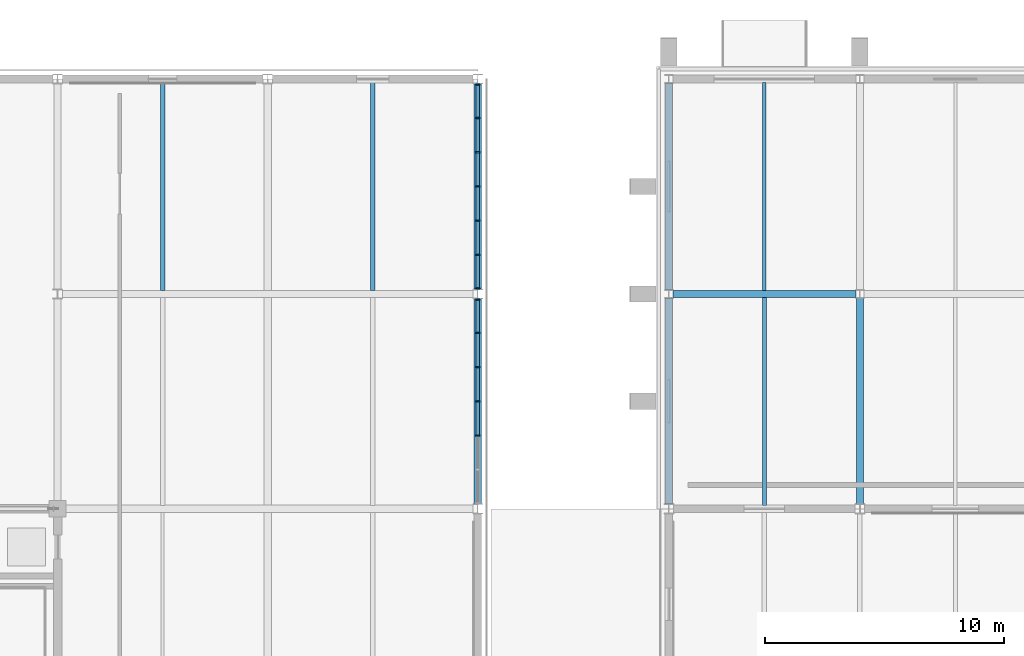
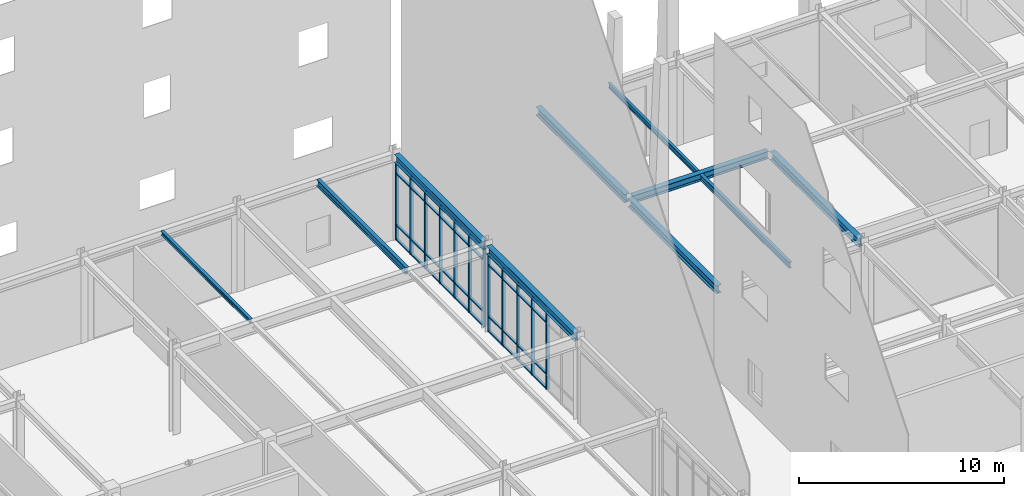
# One storey, part 46 of 119: 52 members, 10 beams, 2 elements without a shape of their own.
"""IFC4 building model written with IfcOpenShell, lengths in metres."""

from ifc_helpers import new_model, si_unit, direction, frame, origin, origin_2d, place, context, subcontext, project, spatial, rectangle, i_section, extrude, material, material_profile, profile_set, type_object, element, aggregate, save


model = new_model("IFC4")

# Units and contexts
model_context = context("Model", 3, precision=1e-05, world=origin(), true_north=direction((0.0, 1.0)))
body_context = subcontext(model_context, "Body", "Model", "MODEL_VIEW")
ifc_project = project(units=[si_unit("LENGTHUNIT", "METRE"), si_unit("AREAUNIT", "SQUARE_METRE"), si_unit("VOLUMEUNIT", "CUBIC_METRE"), si_unit("PLANEANGLEUNIT", "RADIAN"), si_unit("MASSUNIT", "GRAM", prefix="KILO")], contexts=[model_context])

# Site, building, storey
site_placement = place(None, origin())
site = spatial("IfcSite", under=ifc_project, at=site_placement, CompositionType="ELEMENT")
building_placement = place(site_placement, origin())
building = spatial("IfcBuilding", under=site, at=building_placement, Name="Zhaolan Boulevard Law Courts", CompositionType="ELEMENT")
storey_placement = place(building_placement, origin())
storey = spatial("IfcBuildingStorey", under=building, at=storey_placement, Name="L00", CompositionType="ELEMENT", Elevation=0.0)

# Curtain wall, members
ifc_material_1 = material(Name="Thermally broken aluminium and low-E glazing", Category="aluminium")
curtain_wall_type_1 = type_object("IfcCurtainWallType", Name="CURTAIN WALL M9", PredefinedType="USERDEFINED", material=ifc_material_1)
curtain_wall_1_placement = place(storey_placement, origin())
curtain_wall_1 = element("IfcCurtainWall", 1, at=curtain_wall_1_placement, inside=storey, type_object=curtain_wall_type_1, Name="Curtain Wall CW-L00-105", ObjectType="CURTAIN WALL", PredefinedType="USERDEFINED")
ifc_material_2 = material(Name="Fluorocarbon-coated aluminium 6063-T6", Category="aluminium")
ifc_material_profile_1 = material_profile(ifc_material_2, rectangle(XDim=0.179931640625, YDim=0.06494140625, at=origin_2d()), Name="AL65x180")
ifc_profile_set_1 = profile_set([ifc_material_profile_1], Name="Fluorocarbon-coated aluminium 6063-T6")
member_type_1 = type_object("IfcMemberType", Name="CWMULLION 65X180", PredefinedType="MULLION", material=ifc_profile_set_1)
member_1_placement = place(storey_placement, frame((44.0, 97.0673828125, 0.0), z_axis=(0.0, 0.0, 1.0), x_axis=(-1.0, 0.0, 0.0)))
member_1 = element("IfcMember", 2, at=member_1_placement, type_object=member_type_1, Name="CW-L00-105 mullion 3", PredefinedType="MULLION", context=body_context, shape_type="SweptSolid", body=[
    extrude(rectangle(XDim=0.179931640625, YDim=0.06494140625, at=origin_2d()), origin(), (0.0, 0.0, 1.0), 4.62109375),
])
member_2_placement = place(storey_placement, frame((44.0, 98.5, 0.0), z_axis=(0.0, 0.0, 1.0), x_axis=(-1.0, 0.0, 0.0)))
member_2 = element("IfcMember", 3, at=member_2_placement, type_object=member_type_1, Name="CW-L00-105 mullion 4", PredefinedType="MULLION", context=body_context, shape_type="SweptSolid", body=[
    extrude(rectangle(XDim=0.179931640625, YDim=0.06494140625, at=origin_2d()), origin(), (0.0, 0.0, 1.0), 4.62109375),
])
member_3_placement = place(storey_placement, frame((44.0, 99.9326171875, 0.0), z_axis=(0.0, 0.0, 1.0), x_axis=(-1.0, 0.0, 0.0)))
member_3 = element("IfcMember", 4, at=member_3_placement, type_object=member_type_1, Name="CW-L00-105 mullion 5", PredefinedType="MULLION", context=body_context, shape_type="SweptSolid", body=[
    extrude(rectangle(XDim=0.179931640625, YDim=0.06494140625, at=origin_2d()), origin(), (0.0, 0.0, 1.0), 4.62109375),
])
member_4_placement = place(storey_placement, frame((44.0, 101.365234375, 0.0), z_axis=(0.0, 0.0, 1.0), x_axis=(-1.0, 0.0, 0.0)))
member_4 = element("IfcMember", 5, at=member_4_placement, type_object=member_type_1, Name="CW-L00-105 mullion 6", PredefinedType="MULLION", context=body_context, shape_type="SweptSolid", body=[
    extrude(rectangle(XDim=0.179931640625, YDim=0.06494140625, at=origin_2d()), origin(), (0.0, 0.0, 1.0), 4.62109375),
])
member_5_placement = place(storey_placement, frame((44.0, 102.765380859375, 0.0), z_axis=(0.0, 0.0, 1.0), x_axis=(-1.0, 0.0, 0.0)))
member_5 = element("IfcMember", 6, at=member_5_placement, type_object=member_type_1, Name="CW-L00-105 mullion 7", PredefinedType="MULLION", context=body_context, shape_type="SweptSolid", body=[
    extrude(rectangle(XDim=0.179931640625, YDim=0.06494140625, at=origin_2d()), origin(), (0.0, 0.0, 1.0), 4.62109375),
])

ifc_material_3 = material(Name="Thermally broken aluminium and low-E glazing", Category="aluminium")
curtain_wall_type_2 = type_object("IfcCurtainWallType", Name="CURTAIN WALL M10", PredefinedType="USERDEFINED", material=ifc_material_3)
curtain_wall_2_placement = place(storey_placement, origin())
curtain_wall_2 = element("IfcCurtainWall", 7, at=curtain_wall_2_placement, inside=storey, type_object=curtain_wall_type_2, Name="Curtain Wall CW-L00-106", ObjectType="CURTAIN WALL", PredefinedType="USERDEFINED")
member_6_placement = place(storey_placement, frame((44.0, 103.234619140625, 0.0), z_axis=(0.0, 0.0, 1.0), x_axis=(-1.0, 0.0, 0.0)))
member_6 = element("IfcMember", 8, at=member_6_placement, type_object=member_type_1, Name="CW-L00-106 mullion 1", PredefinedType="MULLION", context=body_context, shape_type="SweptSolid", body=[
    extrude(rectangle(XDim=0.179931640625, YDim=0.06494140625, at=origin_2d()), origin(), (0.0, 0.0, 1.0), 4.62109375),
])
member_7_placement = place(storey_placement, frame((44.0, 104.634765625, 0.0), z_axis=(0.0, 0.0, 1.0), x_axis=(-1.0, 0.0, 0.0)))
member_7 = element("IfcMember", 9, at=member_7_placement, type_object=member_type_1, Name="CW-L00-106 mullion 2", PredefinedType="MULLION", context=body_context, shape_type="SweptSolid", body=[
    extrude(rectangle(XDim=0.179931640625, YDim=0.06494140625, at=origin_2d()), origin(), (0.0, 0.0, 1.0), 4.62109375),
])
member_8_placement = place(storey_placement, frame((44.0, 106.0673828125, 0.0), z_axis=(0.0, 0.0, 1.0), x_axis=(-1.0, 0.0, 0.0)))
member_8 = element("IfcMember", 10, at=member_8_placement, type_object=member_type_1, Name="CW-L00-106 mullion 3", PredefinedType="MULLION", context=body_context, shape_type="SweptSolid", body=[
    extrude(rectangle(XDim=0.179931640625, YDim=0.06494140625, at=origin_2d()), origin(), (0.0, 0.0, 1.0), 4.62109375),
])
member_9_placement = place(storey_placement, frame((44.0, 107.5, 0.0), z_axis=(0.0, 0.0, 1.0), x_axis=(-1.0, 0.0, 0.0)))
member_9 = element("IfcMember", 11, at=member_9_placement, type_object=member_type_1, Name="CW-L00-106 mullion 4", PredefinedType="MULLION", context=body_context, shape_type="SweptSolid", body=[
    extrude(rectangle(XDim=0.179931640625, YDim=0.06494140625, at=origin_2d()), origin(), (0.0, 0.0, 1.0), 4.62109375),
])
member_10_placement = place(storey_placement, frame((44.0, 108.9326171875, 0.0), z_axis=(0.0, 0.0, 1.0), x_axis=(-1.0, 0.0, 0.0)))
member_10 = element("IfcMember", 12, at=member_10_placement, type_object=member_type_1, Name="CW-L00-106 mullion 5", PredefinedType="MULLION", context=body_context, shape_type="SweptSolid", body=[
    extrude(rectangle(XDim=0.179931640625, YDim=0.06494140625, at=origin_2d()), origin(), (0.0, 0.0, 1.0), 4.62109375),
])
member_11_placement = place(storey_placement, frame((44.0, 110.365234375, 0.0), z_axis=(0.0, 0.0, 1.0), x_axis=(-1.0, 0.0, 0.0)))
member_11 = element("IfcMember", 13, at=member_11_placement, type_object=member_type_1, Name="CW-L00-106 mullion 6", PredefinedType="MULLION", context=body_context, shape_type="SweptSolid", body=[
    extrude(rectangle(XDim=0.179931640625, YDim=0.06494140625, at=origin_2d()), origin(), (0.0, 0.0, 1.0), 4.62109375),
])
member_12_placement = place(storey_placement, frame((44.0, 111.765380859375, 0.0), z_axis=(0.0, 0.0, 1.0), x_axis=(-1.0, 0.0, 0.0)))
member_12 = element("IfcMember", 14, at=member_12_placement, type_object=member_type_1, Name="CW-L00-106 mullion 7", PredefinedType="MULLION", context=body_context, shape_type="SweptSolid", body=[
    extrude(rectangle(XDim=0.179931640625, YDim=0.06494140625, at=origin_2d()), origin(), (0.0, 0.0, 1.0), 4.62109375),
])

# Member
ifc_material_4 = material(Name="Fluorocarbon-coated aluminium 6063-T6", Category="aluminium")
ifc_material_profile_2 = material_profile(ifc_material_4, rectangle(XDim=0.139892578125, YDim=0.06494140625, at=origin_2d()), Name="AL65x140")
ifc_profile_set_2 = profile_set([ifc_material_profile_2], Name="Fluorocarbon-coated aluminium 6063-T6")
member_type_2 = type_object("IfcMemberType", Name="CWTRANSOM 65X140", PredefinedType="USERDEFINED", material=ifc_profile_set_2)
member_13_placement = place(storey_placement, frame((44.0, 97.099853515625, 0.032470703125), z_axis=(0.0, 1.0, 0.0), x_axis=(-1.0, 0.0, 0.0)))
member_13 = element("IfcMember", 15, at=member_13_placement, type_object=member_type_2, Name="CW-L00-105 transom 3.1", ObjectType="TRANSOM", PredefinedType="USERDEFINED", context=body_context, shape_type="SweptSolid", body=[
    extrude(rectangle(XDim=0.139892578125, YDim=0.06494140625, at=origin_2d()), origin(), (0.0, 0.0, 1.0), 1.36767578125),
])

member_14_placement = place(storey_placement, frame((44.0, 97.099853515625, 0.89990234375), z_axis=(0.0, 1.0, 0.0), x_axis=(-1.0, 0.0, 0.0)))
member_14 = element("IfcMember", 16, at=member_14_placement, type_object=member_type_2, Name="CW-L00-105 transom 3.2", ObjectType="TRANSOM", PredefinedType="USERDEFINED", context=body_context, shape_type="SweptSolid", body=[
    extrude(rectangle(XDim=0.139892578125, YDim=0.06494140625, at=origin_2d()), origin(), (0.0, 0.0, 1.0), 1.36767578125),
])

member_15_placement = place(storey_placement, frame((44.0, 97.099853515625, 3.970947265625), z_axis=(0.0, 1.0, 0.0), x_axis=(-1.0, 0.0, 0.0)))
member_15 = element("IfcMember", 17, at=member_15_placement, type_object=member_type_2, Name="CW-L00-105 transom 3.3", ObjectType="TRANSOM", PredefinedType="USERDEFINED", context=body_context, shape_type="SweptSolid", body=[
    extrude(rectangle(XDim=0.139892578125, YDim=0.06494140625, at=origin_2d()), origin(), (0.0, 0.0, 1.0), 1.36767578125),
])

member_16_placement = place(storey_placement, frame((44.0, 97.099853515625, 4.58837890625), z_axis=(0.0, 1.0, 0.0), x_axis=(-1.0, 0.0, 0.0)))
member_16 = element("IfcMember", 18, at=member_16_placement, type_object=member_type_2, Name="CW-L00-105 transom 3.4", ObjectType="TRANSOM", PredefinedType="USERDEFINED", context=body_context, shape_type="SweptSolid", body=[
    extrude(rectangle(XDim=0.139892578125, YDim=0.06494140625, at=origin_2d()), origin(), (0.0, 0.0, 1.0), 1.36767578125),
])

member_17_placement = place(storey_placement, frame((44.0, 98.532470703125, 0.032470703125), z_axis=(0.0, 1.0, 0.0), x_axis=(-1.0, 0.0, 0.0)))
member_17 = element("IfcMember", 19, at=member_17_placement, type_object=member_type_2, Name="CW-L00-105 transom 4.1", ObjectType="TRANSOM", PredefinedType="USERDEFINED", context=body_context, shape_type="SweptSolid", body=[
    extrude(rectangle(XDim=0.139892578125, YDim=0.06494140625, at=origin_2d()), origin(), (0.0, 0.0, 1.0), 1.36767578125),
])

member_18_placement = place(storey_placement, frame((44.0, 98.532470703125, 0.89990234375), z_axis=(0.0, 1.0, 0.0), x_axis=(-1.0, 0.0, 0.0)))
member_18 = element("IfcMember", 20, at=member_18_placement, type_object=member_type_2, Name="CW-L00-105 transom 4.2", ObjectType="TRANSOM", PredefinedType="USERDEFINED", context=body_context, shape_type="SweptSolid", body=[
    extrude(rectangle(XDim=0.139892578125, YDim=0.06494140625, at=origin_2d()), origin(), (0.0, 0.0, 1.0), 1.36767578125),
])

member_19_placement = place(storey_placement, frame((44.0, 98.532470703125, 3.970947265625), z_axis=(0.0, 1.0, 0.0), x_axis=(-1.0, 0.0, 0.0)))
member_19 = element("IfcMember", 21, at=member_19_placement, type_object=member_type_2, Name="CW-L00-105 transom 4.3", ObjectType="TRANSOM", PredefinedType="USERDEFINED", context=body_context, shape_type="SweptSolid", body=[
    extrude(rectangle(XDim=0.139892578125, YDim=0.06494140625, at=origin_2d()), origin(), (0.0, 0.0, 1.0), 1.36767578125),
])

member_20_placement = place(storey_placement, frame((44.0, 98.532470703125, 4.58837890625), z_axis=(0.0, 1.0, 0.0), x_axis=(-1.0, 0.0, 0.0)))
member_20 = element("IfcMember", 22, at=member_20_placement, type_object=member_type_2, Name="CW-L00-105 transom 4.4", ObjectType="TRANSOM", PredefinedType="USERDEFINED", context=body_context, shape_type="SweptSolid", body=[
    extrude(rectangle(XDim=0.139892578125, YDim=0.06494140625, at=origin_2d()), origin(), (0.0, 0.0, 1.0), 1.36767578125),
])

member_21_placement = place(storey_placement, frame((44.0, 99.965087890625, 0.032470703125), z_axis=(0.0, 1.0, 0.0), x_axis=(-1.0, 0.0, 0.0)))
member_21 = element("IfcMember", 23, at=member_21_placement, type_object=member_type_2, Name="CW-L00-105 transom 5.1", ObjectType="TRANSOM", PredefinedType="USERDEFINED", context=body_context, shape_type="SweptSolid", body=[
    extrude(rectangle(XDim=0.139892578125, YDim=0.06494140625, at=origin_2d()), origin(), (0.0, 0.0, 1.0), 1.36767578125),
])

member_22_placement = place(storey_placement, frame((44.0, 99.965087890625, 0.89990234375), z_axis=(0.0, 1.0, 0.0), x_axis=(-1.0, 0.0, 0.0)))
member_22 = element("IfcMember", 24, at=member_22_placement, type_object=member_type_2, Name="CW-L00-105 transom 5.2", ObjectType="TRANSOM", PredefinedType="USERDEFINED", context=body_context, shape_type="SweptSolid", body=[
    extrude(rectangle(XDim=0.139892578125, YDim=0.06494140625, at=origin_2d()), origin(), (0.0, 0.0, 1.0), 1.36767578125),
])

member_23_placement = place(storey_placement, frame((44.0, 99.965087890625, 3.970947265625), z_axis=(0.0, 1.0, 0.0), x_axis=(-1.0, 0.0, 0.0)))
member_23 = element("IfcMember", 25, at=member_23_placement, type_object=member_type_2, Name="CW-L00-105 transom 5.3", ObjectType="TRANSOM", PredefinedType="USERDEFINED", context=body_context, shape_type="SweptSolid", body=[
    extrude(rectangle(XDim=0.139892578125, YDim=0.06494140625, at=origin_2d()), origin(), (0.0, 0.0, 1.0), 1.36767578125),
])

member_24_placement = place(storey_placement, frame((44.0, 99.965087890625, 4.58837890625), z_axis=(0.0, 1.0, 0.0), x_axis=(-1.0, 0.0, 0.0)))
member_24 = element("IfcMember", 26, at=member_24_placement, type_object=member_type_2, Name="CW-L00-105 transom 5.4", ObjectType="TRANSOM", PredefinedType="USERDEFINED", context=body_context, shape_type="SweptSolid", body=[
    extrude(rectangle(XDim=0.139892578125, YDim=0.06494140625, at=origin_2d()), origin(), (0.0, 0.0, 1.0), 1.36767578125),
])

member_25_placement = place(storey_placement, frame((44.0, 101.39794921875, 0.032470703125), z_axis=(0.0, 1.0, 0.0), x_axis=(-1.0, 0.0, 0.0)))
member_25 = element("IfcMember", 27, at=member_25_placement, type_object=member_type_2, Name="CW-L00-105 transom 6.1", ObjectType="TRANSOM", PredefinedType="USERDEFINED", context=body_context, shape_type="SweptSolid", body=[
    extrude(rectangle(XDim=0.139892578125, YDim=0.06494140625, at=origin_2d()), origin(), (0.0, 0.0, 1.0), 1.3349609375),
])

member_26_placement = place(storey_placement, frame((44.0, 101.39794921875, 0.89990234375), z_axis=(0.0, 1.0, 0.0), x_axis=(-1.0, 0.0, 0.0)))
member_26 = element("IfcMember", 28, at=member_26_placement, type_object=member_type_2, Name="CW-L00-105 transom 6.2", ObjectType="TRANSOM", PredefinedType="USERDEFINED", context=body_context, shape_type="SweptSolid", body=[
    extrude(rectangle(XDim=0.139892578125, YDim=0.06494140625, at=origin_2d()), origin(), (0.0, 0.0, 1.0), 1.3349609375),
])

member_27_placement = place(storey_placement, frame((44.0, 101.39794921875, 3.970947265625), z_axis=(0.0, 1.0, 0.0), x_axis=(-1.0, 0.0, 0.0)))
member_27 = element("IfcMember", 29, at=member_27_placement, type_object=member_type_2, Name="CW-L00-105 transom 6.3", ObjectType="TRANSOM", PredefinedType="USERDEFINED", context=body_context, shape_type="SweptSolid", body=[
    extrude(rectangle(XDim=0.139892578125, YDim=0.06494140625, at=origin_2d()), origin(), (0.0, 0.0, 1.0), 1.3349609375),
])

member_28_placement = place(storey_placement, frame((44.0, 101.39794921875, 4.58837890625), z_axis=(0.0, 1.0, 0.0), x_axis=(-1.0, 0.0, 0.0)))
member_28 = element("IfcMember", 30, at=member_28_placement, type_object=member_type_2, Name="CW-L00-105 transom 6.4", ObjectType="TRANSOM", PredefinedType="USERDEFINED", context=body_context, shape_type="SweptSolid", body=[
    extrude(rectangle(XDim=0.139892578125, YDim=0.06494140625, at=origin_2d()), origin(), (0.0, 0.0, 1.0), 1.3349609375),
])

aggregate(curtain_wall_1, [member_1, member_2, member_3, member_4, member_5, member_13, member_14, member_15, member_16, member_17, member_18, member_19, member_20, member_21, member_22, member_23, member_24, member_25, member_26, member_27, member_28])

member_29_placement = place(storey_placement, frame((44.0, 103.26708984375, 0.032470703125), z_axis=(0.0, 1.0, 0.0), x_axis=(-1.0, 0.0, 0.0)))
member_29 = element("IfcMember", 31, at=member_29_placement, type_object=member_type_2, Name="CW-L00-106 transom 1.1", ObjectType="TRANSOM", PredefinedType="USERDEFINED", context=body_context, shape_type="SweptSolid", body=[
    extrude(rectangle(XDim=0.139892578125, YDim=0.06494140625, at=origin_2d()), origin(), (0.0, 0.0, 1.0), 1.3349609375),
])

member_30_placement = place(storey_placement, frame((44.0, 103.26708984375, 0.89990234375), z_axis=(0.0, 1.0, 0.0), x_axis=(-1.0, 0.0, 0.0)))
member_30 = element("IfcMember", 32, at=member_30_placement, type_object=member_type_2, Name="CW-L00-106 transom 1.2", ObjectType="TRANSOM", PredefinedType="USERDEFINED", context=body_context, shape_type="SweptSolid", body=[
    extrude(rectangle(XDim=0.139892578125, YDim=0.06494140625, at=origin_2d()), origin(), (0.0, 0.0, 1.0), 1.3349609375),
])

member_31_placement = place(storey_placement, frame((44.0, 103.26708984375, 3.970947265625), z_axis=(0.0, 1.0, 0.0), x_axis=(-1.0, 0.0, 0.0)))
member_31 = element("IfcMember", 33, at=member_31_placement, type_object=member_type_2, Name="CW-L00-106 transom 1.3", ObjectType="TRANSOM", PredefinedType="USERDEFINED", context=body_context, shape_type="SweptSolid", body=[
    extrude(rectangle(XDim=0.139892578125, YDim=0.06494140625, at=origin_2d()), origin(), (0.0, 0.0, 1.0), 1.3349609375),
])

member_32_placement = place(storey_placement, frame((44.0, 103.26708984375, 4.58837890625), z_axis=(0.0, 1.0, 0.0), x_axis=(-1.0, 0.0, 0.0)))
member_32 = element("IfcMember", 34, at=member_32_placement, type_object=member_type_2, Name="CW-L00-106 transom 1.4", ObjectType="TRANSOM", PredefinedType="USERDEFINED", context=body_context, shape_type="SweptSolid", body=[
    extrude(rectangle(XDim=0.139892578125, YDim=0.06494140625, at=origin_2d()), origin(), (0.0, 0.0, 1.0), 1.3349609375),
])

member_33_placement = place(storey_placement, frame((44.0, 104.667236328125, 0.032470703125), z_axis=(0.0, 1.0, 0.0), x_axis=(-1.0, 0.0, 0.0)))
member_33 = element("IfcMember", 35, at=member_33_placement, type_object=member_type_2, Name="CW-L00-106 transom 2.1", ObjectType="TRANSOM", PredefinedType="USERDEFINED", context=body_context, shape_type="SweptSolid", body=[
    extrude(rectangle(XDim=0.139892578125, YDim=0.06494140625, at=origin_2d()), origin(), (0.0, 0.0, 1.0), 1.36767578125),
])

member_34_placement = place(storey_placement, frame((44.0, 104.667236328125, 0.89990234375), z_axis=(0.0, 1.0, 0.0), x_axis=(-1.0, 0.0, 0.0)))
member_34 = element("IfcMember", 36, at=member_34_placement, type_object=member_type_2, Name="CW-L00-106 transom 2.2", ObjectType="TRANSOM", PredefinedType="USERDEFINED", context=body_context, shape_type="SweptSolid", body=[
    extrude(rectangle(XDim=0.139892578125, YDim=0.06494140625, at=origin_2d()), origin(), (0.0, 0.0, 1.0), 1.36767578125),
])

member_35_placement = place(storey_placement, frame((44.0, 104.667236328125, 3.970947265625), z_axis=(0.0, 1.0, 0.0), x_axis=(-1.0, 0.0, 0.0)))
member_35 = element("IfcMember", 37, at=member_35_placement, type_object=member_type_2, Name="CW-L00-106 transom 2.3", ObjectType="TRANSOM", PredefinedType="USERDEFINED", context=body_context, shape_type="SweptSolid", body=[
    extrude(rectangle(XDim=0.139892578125, YDim=0.06494140625, at=origin_2d()), origin(), (0.0, 0.0, 1.0), 1.36767578125),
])

member_36_placement = place(storey_placement, frame((44.0, 104.667236328125, 4.58837890625), z_axis=(0.0, 1.0, 0.0), x_axis=(-1.0, 0.0, 0.0)))
member_36 = element("IfcMember", 38, at=member_36_placement, type_object=member_type_2, Name="CW-L00-106 transom 2.4", ObjectType="TRANSOM", PredefinedType="USERDEFINED", context=body_context, shape_type="SweptSolid", body=[
    extrude(rectangle(XDim=0.139892578125, YDim=0.06494140625, at=origin_2d()), origin(), (0.0, 0.0, 1.0), 1.36767578125),
])

member_37_placement = place(storey_placement, frame((44.0, 106.099853515625, 0.032470703125), z_axis=(0.0, 1.0, 0.0), x_axis=(-1.0, 0.0, 0.0)))
member_37 = element("IfcMember", 39, at=member_37_placement, type_object=member_type_2, Name="CW-L00-106 transom 3.1", ObjectType="TRANSOM", PredefinedType="USERDEFINED", context=body_context, shape_type="SweptSolid", body=[
    extrude(rectangle(XDim=0.139892578125, YDim=0.06494140625, at=origin_2d()), origin(), (0.0, 0.0, 1.0), 1.36767578125),
])

member_38_placement = place(storey_placement, frame((44.0, 106.099853515625, 0.89990234375), z_axis=(0.0, 1.0, 0.0), x_axis=(-1.0, 0.0, 0.0)))
member_38 = element("IfcMember", 40, at=member_38_placement, type_object=member_type_2, Name="CW-L00-106 transom 3.2", ObjectType="TRANSOM", PredefinedType="USERDEFINED", context=body_context, shape_type="SweptSolid", body=[
    extrude(rectangle(XDim=0.139892578125, YDim=0.06494140625, at=origin_2d()), origin(), (0.0, 0.0, 1.0), 1.36767578125),
])

member_39_placement = place(storey_placement, frame((44.0, 106.099853515625, 3.970947265625), z_axis=(0.0, 1.0, 0.0), x_axis=(-1.0, 0.0, 0.0)))
member_39 = element("IfcMember", 41, at=member_39_placement, type_object=member_type_2, Name="CW-L00-106 transom 3.3", ObjectType="TRANSOM", PredefinedType="USERDEFINED", context=body_context, shape_type="SweptSolid", body=[
    extrude(rectangle(XDim=0.139892578125, YDim=0.06494140625, at=origin_2d()), origin(), (0.0, 0.0, 1.0), 1.36767578125),
])

member_40_placement = place(storey_placement, frame((44.0, 106.099853515625, 4.58837890625), z_axis=(0.0, 1.0, 0.0), x_axis=(-1.0, 0.0, 0.0)))
member_40 = element("IfcMember", 42, at=member_40_placement, type_object=member_type_2, Name="CW-L00-106 transom 3.4", ObjectType="TRANSOM", PredefinedType="USERDEFINED", context=body_context, shape_type="SweptSolid", body=[
    extrude(rectangle(XDim=0.139892578125, YDim=0.06494140625, at=origin_2d()), origin(), (0.0, 0.0, 1.0), 1.36767578125),
])

member_41_placement = place(storey_placement, frame((44.0, 107.532470703125, 0.032470703125), z_axis=(0.0, 1.0, 0.0), x_axis=(-1.0, 0.0, 0.0)))
member_41 = element("IfcMember", 43, at=member_41_placement, type_object=member_type_2, Name="CW-L00-106 transom 4.1", ObjectType="TRANSOM", PredefinedType="USERDEFINED", context=body_context, shape_type="SweptSolid", body=[
    extrude(rectangle(XDim=0.139892578125, YDim=0.06494140625, at=origin_2d()), origin(), (0.0, 0.0, 1.0), 1.36767578125),
])

member_42_placement = place(storey_placement, frame((44.0, 107.532470703125, 0.89990234375), z_axis=(0.0, 1.0, 0.0), x_axis=(-1.0, 0.0, 0.0)))
member_42 = element("IfcMember", 44, at=member_42_placement, type_object=member_type_2, Name="CW-L00-106 transom 4.2", ObjectType="TRANSOM", PredefinedType="USERDEFINED", context=body_context, shape_type="SweptSolid", body=[
    extrude(rectangle(XDim=0.139892578125, YDim=0.06494140625, at=origin_2d()), origin(), (0.0, 0.0, 1.0), 1.36767578125),
])

member_43_placement = place(storey_placement, frame((44.0, 107.532470703125, 3.970947265625), z_axis=(0.0, 1.0, 0.0), x_axis=(-1.0, 0.0, 0.0)))
member_43 = element("IfcMember", 45, at=member_43_placement, type_object=member_type_2, Name="CW-L00-106 transom 4.3", ObjectType="TRANSOM", PredefinedType="USERDEFINED", context=body_context, shape_type="SweptSolid", body=[
    extrude(rectangle(XDim=0.139892578125, YDim=0.06494140625, at=origin_2d()), origin(), (0.0, 0.0, 1.0), 1.36767578125),
])

member_44_placement = place(storey_placement, frame((44.0, 107.532470703125, 4.58837890625), z_axis=(0.0, 1.0, 0.0), x_axis=(-1.0, 0.0, 0.0)))
member_44 = element("IfcMember", 46, at=member_44_placement, type_object=member_type_2, Name="CW-L00-106 transom 4.4", ObjectType="TRANSOM", PredefinedType="USERDEFINED", context=body_context, shape_type="SweptSolid", body=[
    extrude(rectangle(XDim=0.139892578125, YDim=0.06494140625, at=origin_2d()), origin(), (0.0, 0.0, 1.0), 1.36767578125),
])

member_45_placement = place(storey_placement, frame((44.0, 108.965087890625, 0.032470703125), z_axis=(0.0, 1.0, 0.0), x_axis=(-1.0, 0.0, 0.0)))
member_45 = element("IfcMember", 47, at=member_45_placement, type_object=member_type_2, Name="CW-L00-106 transom 5.1", ObjectType="TRANSOM", PredefinedType="USERDEFINED", context=body_context, shape_type="SweptSolid", body=[
    extrude(rectangle(XDim=0.139892578125, YDim=0.06494140625, at=origin_2d()), origin(), (0.0, 0.0, 1.0), 1.36767578125),
])

member_46_placement = place(storey_placement, frame((44.0, 108.965087890625, 0.89990234375), z_axis=(0.0, 1.0, 0.0), x_axis=(-1.0, 0.0, 0.0)))
member_46 = element("IfcMember", 48, at=member_46_placement, type_object=member_type_2, Name="CW-L00-106 transom 5.2", ObjectType="TRANSOM", PredefinedType="USERDEFINED", context=body_context, shape_type="SweptSolid", body=[
    extrude(rectangle(XDim=0.139892578125, YDim=0.06494140625, at=origin_2d()), origin(), (0.0, 0.0, 1.0), 1.36767578125),
])

member_47_placement = place(storey_placement, frame((44.0, 108.965087890625, 3.970947265625), z_axis=(0.0, 1.0, 0.0), x_axis=(-1.0, 0.0, 0.0)))
member_47 = element("IfcMember", 49, at=member_47_placement, type_object=member_type_2, Name="CW-L00-106 transom 5.3", ObjectType="TRANSOM", PredefinedType="USERDEFINED", context=body_context, shape_type="SweptSolid", body=[
    extrude(rectangle(XDim=0.139892578125, YDim=0.06494140625, at=origin_2d()), origin(), (0.0, 0.0, 1.0), 1.36767578125),
])

member_48_placement = place(storey_placement, frame((44.0, 108.965087890625, 4.58837890625), z_axis=(0.0, 1.0, 0.0), x_axis=(-1.0, 0.0, 0.0)))
member_48 = element("IfcMember", 50, at=member_48_placement, type_object=member_type_2, Name="CW-L00-106 transom 5.4", ObjectType="TRANSOM", PredefinedType="USERDEFINED", context=body_context, shape_type="SweptSolid", body=[
    extrude(rectangle(XDim=0.139892578125, YDim=0.06494140625, at=origin_2d()), origin(), (0.0, 0.0, 1.0), 1.36767578125),
])

member_49_placement = place(storey_placement, frame((44.0, 110.39794921875, 0.032470703125), z_axis=(0.0, 1.0, 0.0), x_axis=(-1.0, 0.0, 0.0)))
member_49 = element("IfcMember", 51, at=member_49_placement, type_object=member_type_2, Name="CW-L00-106 transom 6.1", ObjectType="TRANSOM", PredefinedType="USERDEFINED", context=body_context, shape_type="SweptSolid", body=[
    extrude(rectangle(XDim=0.139892578125, YDim=0.06494140625, at=origin_2d()), origin(), (0.0, 0.0, 1.0), 1.3349609375),
])

member_50_placement = place(storey_placement, frame((44.0, 110.39794921875, 0.89990234375), z_axis=(0.0, 1.0, 0.0), x_axis=(-1.0, 0.0, 0.0)))
member_50 = element("IfcMember", 52, at=member_50_placement, type_object=member_type_2, Name="CW-L00-106 transom 6.2", ObjectType="TRANSOM", PredefinedType="USERDEFINED", context=body_context, shape_type="SweptSolid", body=[
    extrude(rectangle(XDim=0.139892578125, YDim=0.06494140625, at=origin_2d()), origin(), (0.0, 0.0, 1.0), 1.3349609375),
])

member_51_placement = place(storey_placement, frame((44.0, 110.39794921875, 3.970947265625), z_axis=(0.0, 1.0, 0.0), x_axis=(-1.0, 0.0, 0.0)))
member_51 = element("IfcMember", 53, at=member_51_placement, type_object=member_type_2, Name="CW-L00-106 transom 6.3", ObjectType="TRANSOM", PredefinedType="USERDEFINED", context=body_context, shape_type="SweptSolid", body=[
    extrude(rectangle(XDim=0.139892578125, YDim=0.06494140625, at=origin_2d()), origin(), (0.0, 0.0, 1.0), 1.3349609375),
])

member_52_placement = place(storey_placement, frame((44.0, 110.39794921875, 4.58837890625), z_axis=(0.0, 1.0, 0.0), x_axis=(-1.0, 0.0, 0.0)))
member_52 = element("IfcMember", 54, at=member_52_placement, type_object=member_type_2, Name="CW-L00-106 transom 6.4", ObjectType="TRANSOM", PredefinedType="USERDEFINED", context=body_context, shape_type="SweptSolid", body=[
    extrude(rectangle(XDim=0.139892578125, YDim=0.06494140625, at=origin_2d()), origin(), (0.0, 0.0, 1.0), 1.3349609375),
])

aggregate(curtain_wall_2, [member_6, member_7, member_8, member_9, member_10, member_11, member_12, member_29, member_30, member_31, member_32, member_33, member_34, member_35, member_36, member_37, member_38, member_39, member_40, member_41, member_42, member_43, member_44, member_45, member_46, member_47, member_48, member_49, member_50, member_51, member_52])

# Beams
ifc_material_5 = material(Name="Structural steel Q355B", Category="steel")
ifc_material_profile_3 = material_profile(ifc_material_5, i_section(OverallWidth=0.300048828125, OverallDepth=0.43994140625, WebThickness=0.010986328125, FlangeThickness=0.01806640625, FilletRadius=0.02001953125, at=origin_2d()), Name="HM440x300")
ifc_profile_set_3 = profile_set([ifc_material_profile_3], Name="Structural steel Q355B")
beam_type_1 = type_object("IfcBeamType", Name="GIRDER HM440", PredefinedType="BEAM", material=ifc_profile_set_3)
beam_1_placement = place(storey_placement, frame((52.1708984375, 103.0, 4.91796875), z_axis=(1.0, 0.0, 0.0), x_axis=(0.0, 1.0, 0.0)))
element("IfcBeam", 55, at=beam_1_placement, inside=storey, type_object=beam_type_1, Name="Beam BX-L01-7-8-P", PredefinedType="BEAM", context=body_context, shape_type="SweptSolid", body=[
    extrude(i_section(OverallWidth=0.300048828125, OverallDepth=0.43994140625, WebThickness=0.010986328125, FlangeThickness=0.01806640625, FilletRadius=0.02001953125, at=origin_2d()), origin(), (0.0, 0.0, 1.0), 7.658203125),
])
ifc_material_6 = material(Name="Structural steel Q355B", Category="steel")
ifc_material_profile_4 = material_profile(ifc_material_6, i_section(OverallWidth=0.300048828125, OverallDepth=0.48193359375, WebThickness=0.010986328125, FlangeThickness=0.014892578125, FilletRadius=0.02197265625, at=origin_2d()), Name="HM482x300")
ifc_profile_set_4 = profile_set([ifc_material_profile_4], Name="Structural steel Q355B")
beam_type_2 = type_object("IfcBeamType", Name="GIRDER HM488", PredefinedType="BEAM", material=ifc_profile_set_4)
for number, where, z_axis, x_axis, name in (
    (56, (44.0, 94.196044921875, 4.876953125), (0.0, 1.0, 0.0), (-1.0, 0.0, 0.0), "Beam BY-L01-6-N-P"),
    (57, (44.0, 103.196044921875, 4.876953125), (0.0, 1.0, 0.0), (-1.0, 0.0, 0.0), "Beam BY-L01-6-P-Q"),
):
    element("IfcBeam", number, at=place(storey_placement, frame(where, z_axis=z_axis, x_axis=x_axis)), inside=storey, type_object=beam_type_2, Name=name, PredefinedType="BEAM", context=body_context, shape_type="SweptSolid", body=[
        extrude(i_section(OverallWidth=0.300048828125, OverallDepth=0.48193359375, WebThickness=0.010986328125, FlangeThickness=0.014892578125, FilletRadius=0.02197265625, at=origin_2d()), origin(), (0.0, 0.0, 1.0), 8.60791015625),
    ])
beam_2_placement = place(storey_placement, frame((52.0, 94.196044921875, 4.89697265625), z_axis=(0.0, 1.0, 0.0), x_axis=(-1.0, 0.0, 0.0)))
element("IfcBeam", 58, at=beam_2_placement, inside=storey, type_object=beam_type_2, Name="Beam BY-L01-7-N-P", PredefinedType="BEAM", context=body_context, shape_type="SweptSolid", body=[
    extrude(i_section(OverallWidth=0.300048828125, OverallDepth=0.48193359375, WebThickness=0.010986328125, FlangeThickness=0.014892578125, FilletRadius=0.02197265625, at=origin_2d()), origin(), (0.0, 0.0, 1.0), 8.633056640625),
])
beam_3_placement = place(storey_placement, frame((52.0, 103.1708984375, 4.89697265625), z_axis=(0.0, 1.0, 0.0), x_axis=(-1.0, 0.0, 0.0)))
element("IfcBeam", 59, at=beam_3_placement, inside=storey, type_object=beam_type_2, Name="Beam BY-L01-7-P-Q", PredefinedType="BEAM", context=body_context, shape_type="SweptSolid", body=[
    extrude(i_section(OverallWidth=0.300048828125, OverallDepth=0.48193359375, WebThickness=0.010986328125, FlangeThickness=0.014892578125, FilletRadius=0.02197265625, at=origin_2d()), origin(), (0.0, 0.0, 1.0), 8.658203125),
])
beam_4_placement = place(storey_placement, frame((60.0, 94.196044921875, 4.89697265625), z_axis=(0.0, 1.0, 0.0), x_axis=(-1.0, 0.0, 0.0)))
element("IfcBeam", 60, at=beam_4_placement, inside=storey, type_object=beam_type_2, Name="Beam BY-L01-8-N-P", PredefinedType="BEAM", context=body_context, shape_type="SweptSolid", body=[
    extrude(i_section(OverallWidth=0.300048828125, OverallDepth=0.48193359375, WebThickness=0.010986328125, FlangeThickness=0.014892578125, FilletRadius=0.02197265625, at=origin_2d()), origin(), (0.0, 0.0, 1.0), 8.633056640625),
])
ifc_material_7 = material(Name="Structural steel Q355B", Category="steel")
ifc_material_profile_5 = material_profile(ifc_material_7, i_section(OverallWidth=0.175048828125, OverallDepth=0.243896484375, WebThickness=0.007080078125, FlangeThickness=0.010986328125, FilletRadius=0.012939453125, at=origin_2d()), Name="HM244x175")
ifc_profile_set_5 = profile_set([ifc_material_profile_5], Name="Structural steel Q355B")
beam_type_3 = type_object("IfcBeamType", Name="JOIST HM244", PredefinedType="JOIST", material=ifc_profile_set_5)
beam_5_placement = place(storey_placement, frame((30.800048828125, 103.14599609375, 4.99609375), z_axis=(0.0, 1.0, 0.0), x_axis=(-1.0, 0.0, 0.0)))
element("IfcBeam", 61, at=beam_5_placement, inside=storey, type_object=beam_type_3, Name="Composite Joist J-L01-4P", PredefinedType="JOIST", context=body_context, shape_type="SweptSolid", body=[
    extrude(i_section(OverallWidth=0.175048828125, OverallDepth=0.243896484375, WebThickness=0.007080078125, FlangeThickness=0.010986328125, FilletRadius=0.012939453125, at=origin_2d()), origin(), (0.0, 0.0, 1.0), 8.7080078125),
])
ifc_material_8 = material(Name="Structural steel Q355B", Category="steel")
ifc_material_profile_6 = material_profile(ifc_material_8, i_section(OverallWidth=0.14990234375, OverallDepth=0.300048828125, WebThickness=0.006591796875, FlangeThickness=0.009033203125, FilletRadius=0.010986328125, at=origin_2d()), Name="HN300x150")
ifc_profile_set_6 = profile_set([ifc_material_profile_6], Name="Structural steel Q355B")
beam_type_4 = type_object("IfcBeamType", Name="JOIST HN300", PredefinedType="JOIST", material=ifc_profile_set_6)
beam_6_placement = place(storey_placement, frame((56.0, 103.14599609375, 4.988037109375), z_axis=(0.0, 1.0, 0.0), x_axis=(-1.0, 0.0, 0.0)))
element("IfcBeam", 62, at=beam_6_placement, inside=storey, type_object=beam_type_4, Name="Composite Joist J-L01-7P", PredefinedType="JOIST", context=body_context, shape_type="SweptSolid", body=[
    extrude(i_section(OverallWidth=0.14990234375, OverallDepth=0.300048828125, WebThickness=0.006591796875, FlangeThickness=0.009033203125, FilletRadius=0.010986328125, at=origin_2d()), origin(), (0.0, 0.0, 1.0), 8.7080078125),
])
ifc_material_9 = material(Name="Structural steel Q355B", Category="steel")
ifc_material_profile_7 = material_profile(ifc_material_9, i_section(OverallWidth=0.175048828125, OverallDepth=0.35009765625, WebThickness=0.007080078125, FlangeThickness=0.010986328125, FilletRadius=0.012939453125, at=origin_2d()), Name="HN350x175")
ifc_profile_set_7 = profile_set([ifc_material_profile_7], Name="Structural steel Q355B")
beam_type_5 = type_object("IfcBeamType", Name="JOIST HN350", PredefinedType="JOIST", material=ifc_profile_set_7)
beam_7_placement = place(storey_placement, frame((56.0, 94.14599609375, 4.962890625), z_axis=(0.0, 1.0, 0.0), x_axis=(-1.0, 0.0, 0.0)))
element("IfcBeam", 63, at=beam_7_placement, inside=storey, type_object=beam_type_5, Name="Composite Joist J-L01-7N", PredefinedType="JOIST", context=body_context, shape_type="SweptSolid", body=[
    extrude(i_section(OverallWidth=0.175048828125, OverallDepth=0.35009765625, WebThickness=0.007080078125, FlangeThickness=0.010986328125, FilletRadius=0.012939453125, at=origin_2d()), origin(), (0.0, 0.0, 1.0), 8.7080078125),
])
ifc_material_10 = material(Name="Structural steel Q355B", Category="steel")
ifc_material_profile_8 = material_profile(ifc_material_10, i_section(OverallWidth=0.199951171875, OverallDepth=0.39990234375, WebThickness=0.008056640625, FlangeThickness=0.012939453125, FilletRadius=0.013916015625, at=origin_2d()), Name="HN400x200")
ifc_profile_set_8 = profile_set([ifc_material_profile_8], Name="Structural steel Q355B")
beam_type_6 = type_object("IfcBeamType", Name="JOIST HN400", PredefinedType="JOIST", material=ifc_profile_set_8)
beam_8_placement = place(storey_placement, frame((39.60009765625, 103.14599609375, 4.91796875), z_axis=(0.0, 1.0, 0.0), x_axis=(-1.0, 0.0, 0.0)))
element("IfcBeam", 64, at=beam_8_placement, inside=storey, type_object=beam_type_6, Name="Composite Joist J-L01-5P", PredefinedType="JOIST", context=body_context, shape_type="SweptSolid", body=[
    extrude(i_section(OverallWidth=0.199951171875, OverallDepth=0.39990234375, WebThickness=0.008056640625, FlangeThickness=0.012939453125, FilletRadius=0.013916015625, at=origin_2d()), origin(), (0.0, 0.0, 1.0), 8.7080078125),
])

save(model, "model.ifc")
